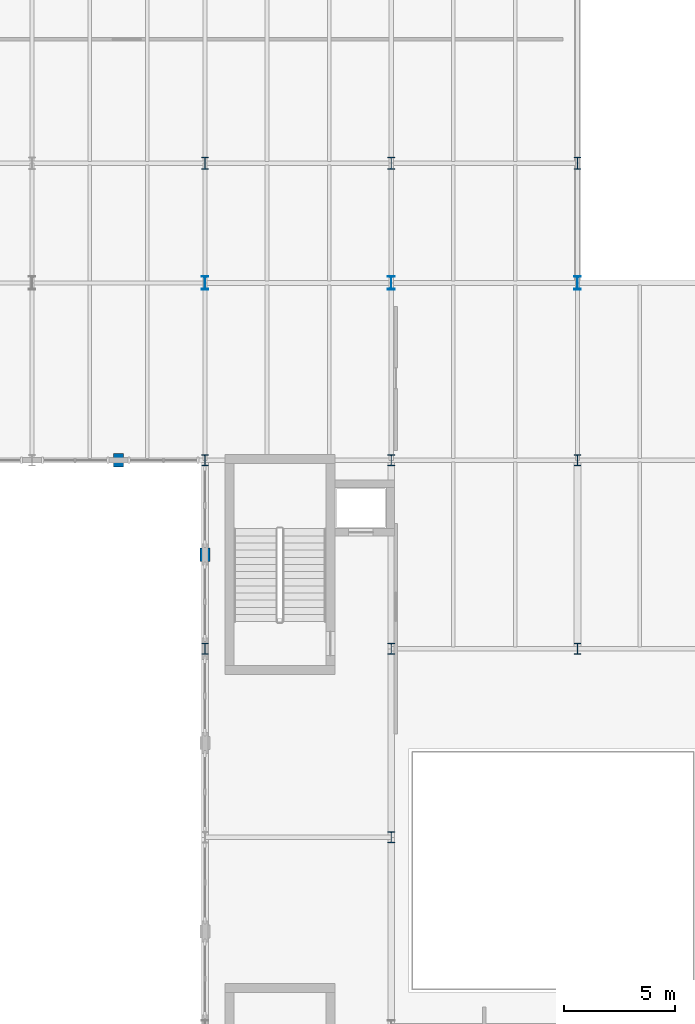
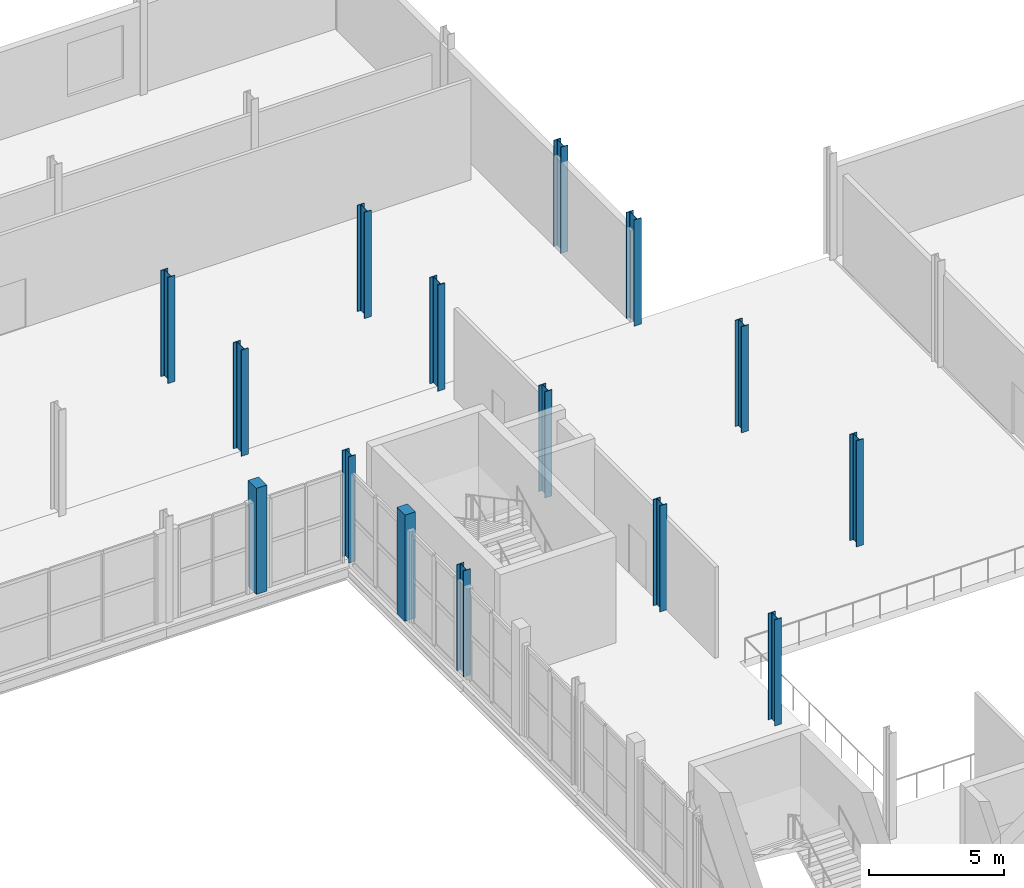
# One storey, part 10 of 63: 15 columns.
"""IFC4 building model written with IfcOpenShell, lengths in metres."""

from ifc_helpers import new_model, si_unit, direction, frame, origin, origin_2d, place, context, subcontext, project, spatial, rectangle, i_section, extrude, material, material_profile, profile_set, type_object, element, save


model = new_model("IFC4")

# Units and contexts
model_context = context("Model", 3, precision=1e-05, world=origin(), true_north=direction((0.0, 1.0)))
body_context = subcontext(model_context, "Body", "Model", "MODEL_VIEW")
ifc_project = project(units=[si_unit("LENGTHUNIT", "METRE"), si_unit("AREAUNIT", "SQUARE_METRE"), si_unit("VOLUMEUNIT", "CUBIC_METRE"), si_unit("PLANEANGLEUNIT", "RADIAN"), si_unit("MASSUNIT", "GRAM", prefix="KILO")], contexts=[model_context])

# Site, building, storey
site_placement = place(None, origin())
site = spatial("IfcSite", under=ifc_project, at=site_placement, CompositionType="ELEMENT")
building_placement = place(site_placement, origin())
building = spatial("IfcBuilding", under=site, at=building_placement, Name="Sefraquen Railside Congress Hotel", CompositionType="ELEMENT")
storey_placement = place(building_placement, frame((0.0, 0.0, 11.39990234375)))
storey = spatial("IfcBuildingStorey", under=building, at=storey_placement, Name="L02", CompositionType="ELEMENT", Elevation=11.39990234375)

# Columns
ifc_material_1 = material(Name="Steel S355JR", Category="steel")
ifc_material_profile_1 = material_profile(ifc_material_1, i_section(OverallWidth=0.300048828125, OverallDepth=0.5, WebThickness=0.014404296875, FlangeThickness=0.028076171875, FilletRadius=0.027099609375, at=origin_2d()), Name="HEB 500")
ifc_profile_set_1 = profile_set([ifc_material_profile_1], Name="Steel S355JR")
column_type_1 = type_object("IfcColumnType", Name="TC-HEB-500", PredefinedType="COLUMN", material=ifc_profile_set_1)
for number, where, z_axis, x_axis, name in (
    (1, (103.199951171875, 88.0, 0.0), (0.0, 0.0, 1.0), (1.0, 0.0, 0.0), "Structural column 14-L L02"),
    (2, (103.199951171875, 79.5, 0.0), (0.0, 0.0, 1.0), (1.0, 0.0, 0.0), "Structural column 14-K L02"),
    (3, (111.60009765625, 71.0, 0.0), (0.0, 0.0, 1.0), (1.0, 0.0, 0.0), "Structural column 15-J L02"),
    (4, (111.60009765625, 79.5, 0.0), (0.0, 0.0, 1.0), (1.0, 0.0, 0.0), "Structural column 15-K L02"),
    (5, (111.60009765625, 88.0, 0.0), (0.0, 0.0, 1.0), (1.0, 0.0, 0.0), "Structural column 15-L L02"),
    (6, (120.0, 79.5, 0.0), (0.0, 0.0, 1.0), (1.0, 0.0, 0.0), "Structural column 16-K L02"),
    (7, (120.0, 88.0, 0.0), (0.0, 0.0, 1.0), (1.0, 0.0, 0.0), "Structural column 16-L L02"),
):
    element("IfcColumn", number, at=place(storey_placement, frame(where, z_axis=z_axis, x_axis=x_axis)), inside=storey, type_object=column_type_1, Name=name, PredefinedType="COLUMN", context=body_context, shape_type="SweptSolid", body=[
        extrude(i_section(OverallWidth=0.300048828125, OverallDepth=0.5, WebThickness=0.014404296875, FlangeThickness=0.028076171875, FilletRadius=0.027099609375, at=origin_2d()), origin(), (0.0, 0.0, 1.0), 4.800048828125),
    ])
ifc_material_profile_2 = material_profile(ifc_material_1, i_section(OverallWidth=0.300048828125, OverallDepth=0.550048828125, WebThickness=0.014892578125, FlangeThickness=0.029052734375, FilletRadius=0.027099609375, at=origin_2d()), Name="HEB 550")
ifc_profile_set_2 = profile_set([ifc_material_profile_2], Name="Steel S355JR")
column_type_2 = type_object("IfcColumnType", Name="TC-HEB-550", PredefinedType="COLUMN", material=ifc_profile_set_2)
for number, where, z_axis, x_axis, name in (
    (8, (103.199951171875, 101.39990234375, 0.0), (0.0, 0.0, 1.0), (1.0, 0.0, 0.0), "Structural column 14-N L02"),
    (9, (111.60009765625, 101.39990234375, 0.0), (0.0, 0.0, 1.0), (1.0, 0.0, 0.0), "Structural column 15-N L02"),
    (10, (120.0, 101.39990234375, 0.0), (0.0, 0.0, 1.0), (1.0, 0.0, 0.0), "Structural column 16-N L02"),
):
    element("IfcColumn", number, at=place(storey_placement, frame(where, z_axis=z_axis, x_axis=x_axis)), inside=storey, type_object=column_type_2, Name=name, PredefinedType="COLUMN", context=body_context, shape_type="SweptSolid", body=[
        extrude(i_section(OverallWidth=0.300048828125, OverallDepth=0.550048828125, WebThickness=0.014892578125, FlangeThickness=0.029052734375, FilletRadius=0.027099609375, at=origin_2d()), origin(), (0.0, 0.0, 1.0), 4.800048828125),
    ])
ifc_material_profile_3 = material_profile(ifc_material_1, i_section(OverallWidth=0.300048828125, OverallDepth=0.60009765625, WebThickness=0.015380859375, FlangeThickness=0.030029296875, FilletRadius=0.027099609375, at=origin_2d()), Name="HEB 600")
ifc_profile_set_3 = profile_set([ifc_material_profile_3], Name="Steel S355JR")
column_type_3 = type_object("IfcColumnType", Name="TC-HEB-600", PredefinedType="COLUMN", material=ifc_profile_set_3)
for number, where, z_axis, x_axis, name in (
    (11, (103.199951171875, 96.0, 0.0), (0.0, 0.0, 1.0), (1.0, 0.0, 0.0), "Structural column 14-M L02"),
    (12, (111.60009765625, 96.0, 0.0), (0.0, 0.0, 1.0), (1.0, 0.0, 0.0), "Structural column 15-M L02"),
    (13, (120.0, 96.0, 0.0), (0.0, 0.0, 1.0), (1.0, 0.0, 0.0), "Structural column 16-M L02"),
):
    element("IfcColumn", number, at=place(storey_placement, frame(where, z_axis=z_axis, x_axis=x_axis)), inside=storey, type_object=column_type_3, Name=name, PredefinedType="COLUMN", context=body_context, shape_type="SweptSolid", body=[
        extrude(i_section(OverallWidth=0.300048828125, OverallDepth=0.60009765625, WebThickness=0.015380859375, FlangeThickness=0.030029296875, FilletRadius=0.027099609375, at=origin_2d()), origin(), (0.0, 0.0, 1.0), 4.800048828125),
    ])
ifc_material_2 = material(Name="Concrete C50/60", Category="concrete")
ifc_material_profile_4 = material_profile(ifc_material_2, rectangle(XDim=0.449951171875, YDim=0.60009765625, at=origin_2d()), Name="RC 600x450")
ifc_profile_set_4 = profile_set([ifc_material_profile_4], Name="Concrete C50/60")
column_type_4 = type_object("IfcColumnType", Name="TC-PIL-600", PredefinedType="PILASTER", material=ifc_profile_set_4)
for number, where, z_axis, x_axis, name in (
    (14, (103.199951171875, 83.75, 0.0), (0.0, 0.0, 1.0), (1.0, 0.0, 0.0), "Courtyard limestone pilaster CPIL-E4 L02"),
    (15, (99.300048828125, 88.0, 0.0), (0.0, 0.0, 1.0), (1.0, 0.0, 0.0), "Courtyard limestone pilaster CPIL-N3 L02"),
):
    element("IfcColumn", number, at=place(storey_placement, frame(where, z_axis=z_axis, x_axis=x_axis)), inside=storey, type_object=column_type_4, Name=name, PredefinedType="PILASTER", context=body_context, shape_type="SweptSolid", body=[
        extrude(rectangle(XDim=0.449951171875, YDim=0.60009765625, at=origin_2d()), origin(), (0.0, 0.0, 1.0), 4.800048828125),
    ])

save(model, "model.ifc")
